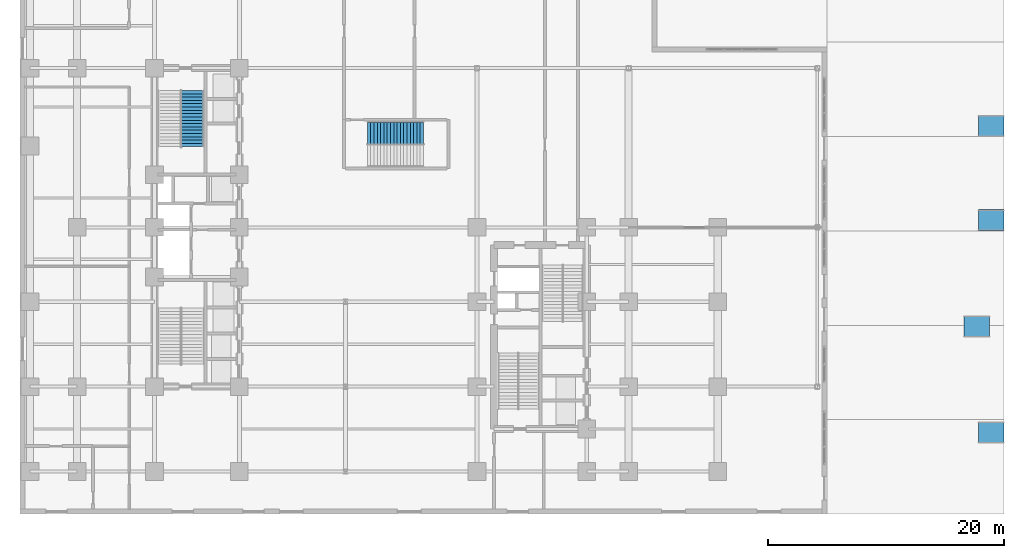
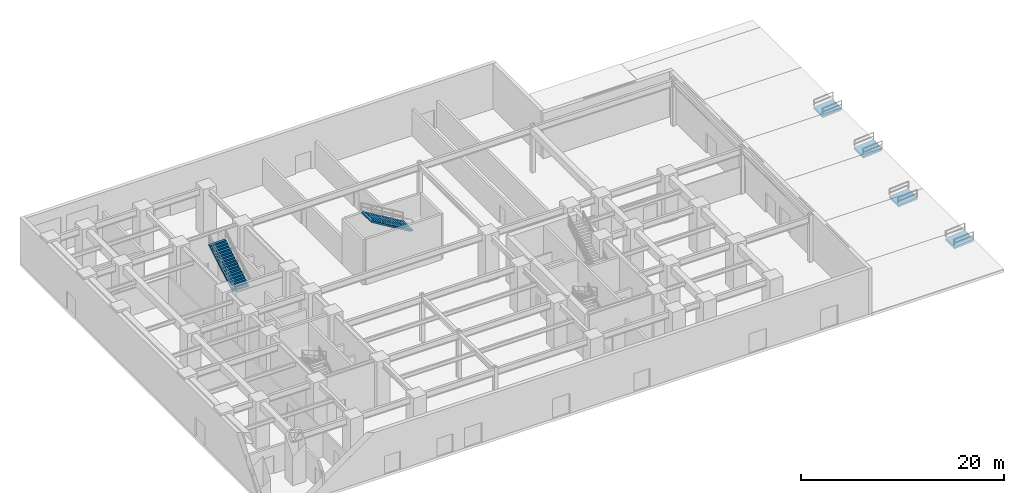
# One storey, part 13 of 18: 4 ramp flights, 2 stair flights, 6 elements without a shape of their own.
"""IFC4 building model written with IfcOpenShell, lengths in metres."""

from ifc_helpers import new_model, entity, si_unit, converted_unit, direction, frame, origin_with_axes, place, context, subcontext, project, spatial, polyline, outline, extrude, triangles, material, type_object, element, aggregate, save


model = new_model("IFC4")

# Units and contexts
model_context = context("Model", 3, precision=1e-05, world=origin_with_axes(), true_north=direction((0.0, 1.0)))
body_context = subcontext(model_context, "Body", "Model", "MODEL_VIEW")
ifc_project = project(units=[si_unit("LENGTHUNIT", "METRE"), si_unit("AREAUNIT", "SQUARE_METRE"), si_unit("VOLUMEUNIT", "CUBIC_METRE"), converted_unit("PLANEANGLEUNIT", "DEGREE", entity("IfcPlaneAngleMeasure", 0.017453292519943295), si_unit("PLANEANGLEUNIT", "RADIAN"), dimensions=[0, 0, 0, 0, 0, 0, 0]), si_unit("MASSUNIT", "GRAM", prefix="KILO"), si_unit("THERMODYNAMICTEMPERATUREUNIT", "KELVIN")], contexts=[model_context])

# Site, building, storey
site_placement = place(None, origin_with_axes())
site = spatial("IfcSite", under=ifc_project, at=site_placement, CompositionType="ELEMENT")
building_placement = place(site_placement, origin_with_axes())
building = spatial("IfcBuilding", under=site, at=building_placement, Name="Varnlund Millrace Tower", CompositionType="ELEMENT")
storey_placement = place(building_placement, origin_with_axes())
storey = spatial("IfcBuildingStorey", under=building, at=storey_placement, Name="L00", CompositionType="ELEMENT", Elevation=0.0)

# Stair, stair flight
ifc_material_1 = material(Name="Concrete C50/60", Category="concrete")
stair_type = type_object("IfcStairType", Name="Type-Stair-Dogleg-185-570", PredefinedType="HALF_TURN_STAIR", material=ifc_material_1)
stair_1_placement = place(storey_placement, origin_with_axes())
stair_1 = element("IfcStair", 1, at=stair_1_placement, inside=storey, type_object=stair_type, Name="Type-Stair-Dogleg-185-570", PredefinedType="HALF_TURN_STAIR")
ifc_material_2 = material(Name="Precast concrete C50/60", Category="concrete")
stair_flight_type = type_object("IfcStairFlightType", Name="Type-Dogleg-Run-185-570", PredefinedType="STRAIGHT", material=ifc_material_2)
stair_flight_1_placement = place(storey_placement, frame((13.625, 31.14, 2.85), z_axis=(1.0, 0.0, 0.0), x_axis=(0.0, 1.0, 0.0)))
stair_flight_1 = element("IfcStairFlight", 2, at=stair_flight_1_placement, type_object=stair_flight_type, Name="ST-A2 flight 2", NumberOfRisers=17, NumberOfTreads=17, PredefinedType="STRAIGHT", RiserHeight=0.167647, TreadLength=0.28, context=body_context, shape_type="SweptSolid", body=[
    extrude(outline(polyline([(0.0, 0.0), (0.0, 0.167647), (0.28, 0.167647), (0.28, 0.335294), (0.56, 0.335294), (0.56, 0.502941), (0.84, 0.502941), (0.84, 0.670588), (1.12, 0.670588), (1.12, 0.838236), (1.4, 0.838236), (1.4, 1.005883), (1.68, 1.005883), (1.68, 1.17353), (1.96, 1.17353), (1.96, 1.341177), (2.24, 1.341177), (2.24, 1.508824), (2.52, 1.508824), (2.52, 1.676471), (2.8, 1.676471), (2.8, 1.844118), (3.08, 1.844118), (3.08, 2.011765), (3.36, 2.011765), (3.36, 2.179412), (3.64, 2.179412), (3.64, 2.347059), (3.92, 2.347059), (3.92, 2.514706), (4.2, 2.514706), (4.2, 2.682354), (4.48, 2.682354), (4.48, 2.850001), (4.76, 2.850001), (4.76, 2.700001), (0.28, 0.0), (0.0, 0.0)])), origin_with_axes(), (0.0, 0.0, 1.0), 1.85),
])
aggregate(stair_1, [stair_flight_1])

stair_2_placement = place(storey_placement, origin_with_axes())
stair_2 = element("IfcStair", 3, at=stair_2_placement, inside=storey, type_object=stair_type, Name="Type-Stair-Dogleg-185-570", PredefinedType="HALF_TURN_STAIR")
stair_flight_2_placement = place(storey_placement, frame((34.21, 31.325, 2.85), z_axis=(0.0, 1.0, 0.0), x_axis=(-1.0, 0.0, 0.0)))
stair_flight_2 = element("IfcStairFlight", 4, at=stair_flight_2_placement, type_object=stair_flight_type, Name="ST-P1 flight 2", NumberOfRisers=17, NumberOfTreads=17, PredefinedType="STRAIGHT", RiserHeight=0.167647, TreadLength=0.28, context=body_context, shape_type="SweptSolid", body=[
    extrude(outline(polyline([(0.0, 0.0), (0.0, 0.167647), (0.28, 0.167647), (0.28, 0.335294), (0.56, 0.335294), (0.56, 0.502941), (0.84, 0.502941), (0.84, 0.670588), (1.12, 0.670588), (1.12, 0.838236), (1.4, 0.838236), (1.4, 1.005883), (1.68, 1.005883), (1.68, 1.17353), (1.96, 1.17353), (1.96, 1.341177), (2.24, 1.341177), (2.24, 1.508824), (2.52, 1.508824), (2.52, 1.676471), (2.8, 1.676471), (2.8, 1.844118), (3.08, 1.844118), (3.08, 2.011765), (3.36, 2.011765), (3.36, 2.179412), (3.64, 2.179412), (3.64, 2.347059), (3.92, 2.347059), (3.92, 2.514706), (4.2, 2.514706), (4.2, 2.682354), (4.48, 2.682354), (4.48, 2.850001), (4.76, 2.850001), (4.76, 2.700001), (0.28, 0.0), (0.0, 0.0)])), origin_with_axes(), (0.0, 0.0, 1.0), 1.85),
])
aggregate(stair_2, [stair_flight_2])

# Ramp, ramp flight
ramp_type = type_object("IfcRampType", Name="Type-Ramp-Accessible-1to12", PredefinedType="STRAIGHT_RUN_RAMP", material=ifc_material_1)
ramp_1_placement = place(storey_placement, frame((81.24, 6.0, -0.18), z_axis=(0.0, 0.0, 1.0), x_axis=(1.0, 0.0, 0.0)))
ramp_1 = element("IfcRamp", 5, at=ramp_1_placement, inside=storey, type_object=ramp_type, Name="Type-Ramp-Accessible-1to12", PredefinedType="STRAIGHT_RUN_RAMP")
ramp_flight_type = type_object("IfcRampFlightType", Name="Type-Accessible-Slope-Granite-250", PredefinedType="STRAIGHT", material=ifc_material_1)
ramp_flight_1_placement = place(storey_placement, origin_with_axes())
ramp_flight_1 = element("IfcRampFlight", 6, at=ramp_flight_1_placement, type_object=ramp_flight_type, Name="Type-Accessible-Slope-Granite-250", PredefinedType="STRAIGHT", context=body_context, shape_type="Tessellation", body=[
    triangles([(81.24, 6.0, -0.18), (83.4, 6.0, 0.0), (83.4, 7.8, 0.0), (81.24, 7.8, -0.18), (81.24, 6.0, -0.43), (83.4, 6.0, -0.25), (83.4, 7.8, -0.25), (81.24, 7.8, -0.43)], [[1, 2, 3], [1, 3, 4], [5, 7, 6], [5, 8, 7], [1, 5, 6], [1, 6, 2], [2, 6, 7], [2, 7, 3], [3, 7, 8], [3, 8, 4], [4, 8, 5], [4, 5, 1]], closed=True),
])
aggregate(ramp_1, [ramp_flight_1])

ramp_2_placement = place(storey_placement, frame((81.24, 24.0, -0.18), z_axis=(0.0, 0.0, 1.0), x_axis=(1.0, 0.0, 0.0)))
ramp_2 = element("IfcRamp", 7, at=ramp_2_placement, inside=storey, type_object=ramp_type, Name="Type-Ramp-Accessible-1to12", PredefinedType="STRAIGHT_RUN_RAMP")
ramp_flight_2_placement = place(storey_placement, origin_with_axes())
ramp_flight_2 = element("IfcRampFlight", 8, at=ramp_flight_2_placement, type_object=ramp_flight_type, Name="Type-Accessible-Slope-Granite-250", PredefinedType="STRAIGHT", context=body_context, shape_type="Tessellation", body=[
    triangles([(81.24, 24.0, -0.18), (83.4, 24.0, 0.0), (83.4, 25.8, 0.0), (81.24, 25.8, -0.18), (81.24, 24.0, -0.43), (83.4, 24.0, -0.25), (83.4, 25.8, -0.25), (81.24, 25.8, -0.43)], [[1, 2, 3], [1, 3, 4], [5, 7, 6], [5, 8, 7], [1, 5, 6], [1, 6, 2], [2, 6, 7], [2, 7, 3], [3, 7, 8], [3, 8, 4], [4, 8, 5], [4, 5, 1]], closed=True),
])
aggregate(ramp_2, [ramp_flight_2])

ramp_3_placement = place(storey_placement, frame((81.24, 32.0, -0.18), z_axis=(0.0, 0.0, 1.0), x_axis=(1.0, 0.0, 0.0)))
ramp_3 = element("IfcRamp", 9, at=ramp_3_placement, inside=storey, type_object=ramp_type, Name="Type-Ramp-Accessible-1to12", PredefinedType="STRAIGHT_RUN_RAMP")
ramp_flight_3_placement = place(storey_placement, origin_with_axes())
ramp_flight_3 = element("IfcRampFlight", 10, at=ramp_flight_3_placement, type_object=ramp_flight_type, Name="Type-Accessible-Slope-Granite-250", PredefinedType="STRAIGHT", context=body_context, shape_type="Tessellation", body=[
    triangles([(81.24, 32.0, -0.18), (83.4, 32.0, 0.0), (83.4, 33.8, 0.0), (81.24, 33.8, -0.18), (81.24, 32.0, -0.43), (83.4, 32.0, -0.25), (83.4, 33.8, -0.25), (81.24, 33.8, -0.43)], [[1, 2, 3], [1, 3, 4], [5, 7, 6], [5, 8, 7], [1, 5, 6], [1, 6, 2], [2, 6, 7], [2, 7, 3], [3, 7, 8], [3, 8, 4], [4, 8, 5], [4, 5, 1]], closed=True),
])
aggregate(ramp_3, [ramp_flight_3])

ramp_4_placement = place(storey_placement, frame((80.04, 15.0, -0.18), z_axis=(0.0, 0.0, 1.0), x_axis=(1.0, 0.0, 0.0)))
ramp_4 = element("IfcRamp", 11, at=ramp_4_placement, inside=storey, type_object=ramp_type, Name="Type-Ramp-Accessible-1to12", PredefinedType="STRAIGHT_RUN_RAMP")
ramp_flight_4_placement = place(storey_placement, origin_with_axes())
ramp_flight_4 = element("IfcRampFlight", 12, at=ramp_flight_4_placement, type_object=ramp_flight_type, Name="Type-Accessible-Slope-Granite-250", PredefinedType="STRAIGHT", context=body_context, shape_type="Tessellation", body=[
    triangles([(80.04, 15.0, -0.18), (82.2, 15.0, 0.0), (82.2, 16.8, 0.0), (80.04, 16.8, -0.18), (80.04, 15.0, -0.43), (82.2, 15.0, -0.25), (82.2, 16.8, -0.25), (80.04, 16.8, -0.43)], [[1, 2, 3], [1, 3, 4], [5, 7, 6], [5, 8, 7], [1, 5, 6], [1, 6, 2], [2, 6, 7], [2, 7, 3], [3, 7, 8], [3, 8, 4], [4, 8, 5], [4, 5, 1]], closed=True),
])
aggregate(ramp_4, [ramp_flight_4])

save(model, "model.ifc")
